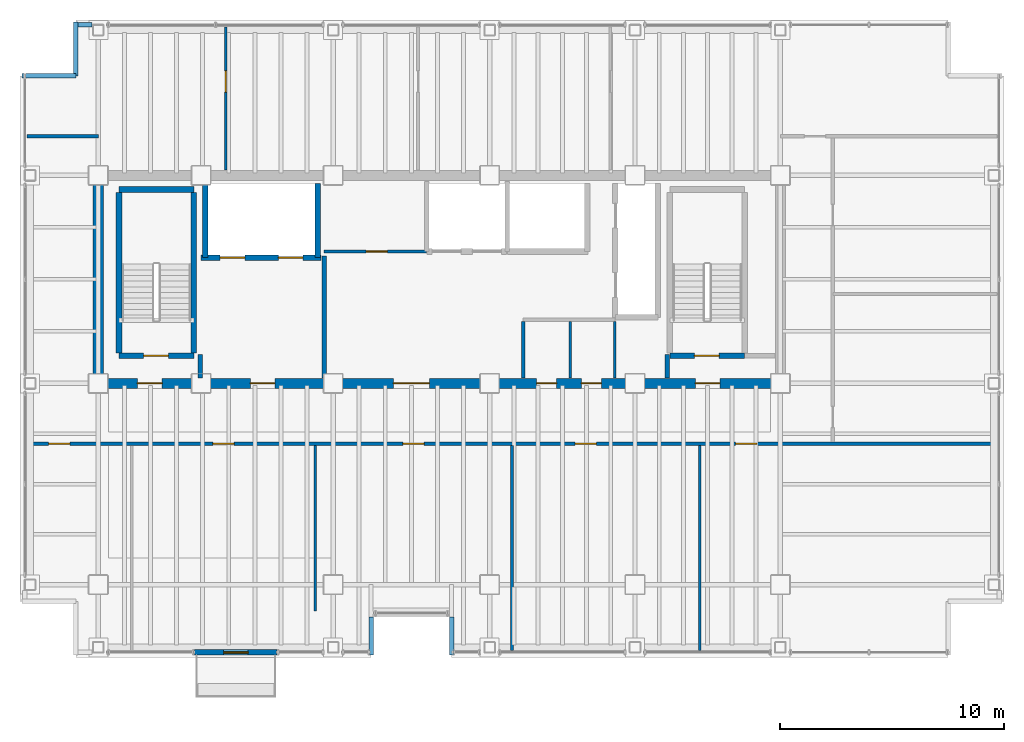
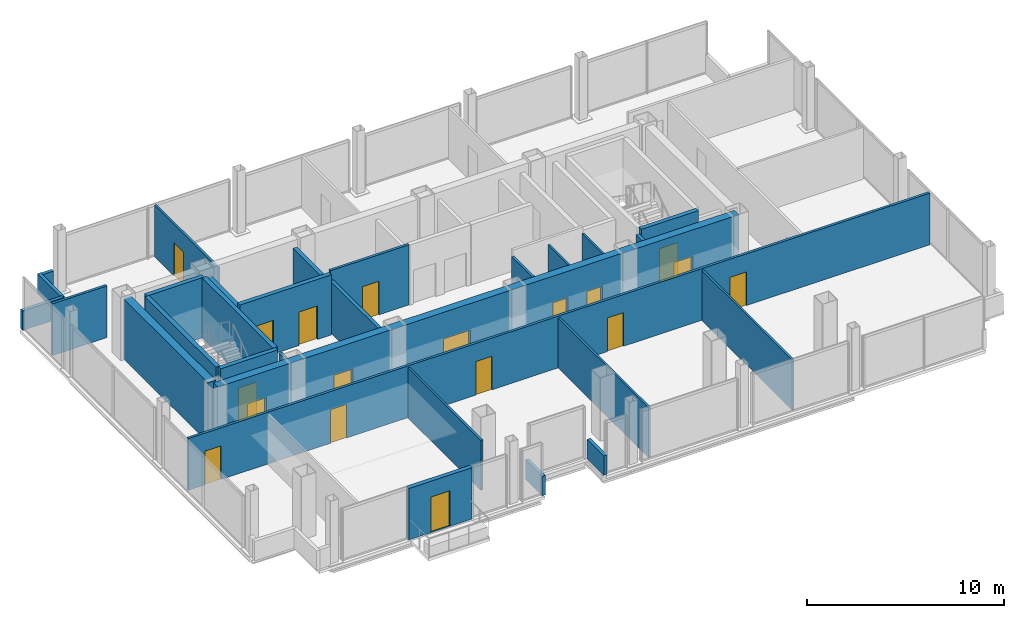
# One storey, part 13 of 15: 29 walls, 18 doors, 18 openings.
"""IFC4 building model written with IfcOpenShell, lengths in metres."""

from ifc_helpers import new_model, si_unit, direction, frame, frame_2d, origin, place, context, subcontext, project, spatial, rectangle, extrude, material, layer, layer_set, type_object, element, fill, save


model = new_model("IFC4")

# Units and contexts
model_context = context("Model", 3, precision=1e-05, world=origin(), true_north=direction((0.0, 1.0)))
body_context = subcontext(model_context, "Body", "Model", "MODEL_VIEW")
ifc_project = project(units=[si_unit("LENGTHUNIT", "METRE"), si_unit("AREAUNIT", "SQUARE_METRE"), si_unit("VOLUMEUNIT", "CUBIC_METRE"), si_unit("PLANEANGLEUNIT", "RADIAN"), si_unit("MASSUNIT", "GRAM", prefix="KILO")], contexts=[model_context])

# Site, building, storey
site_placement = place(None, origin())
site = spatial("IfcSite", under=ifc_project, at=site_placement, CompositionType="ELEMENT")
building_placement = place(site_placement, origin())
building = spatial("IfcBuilding", under=site, at=building_placement, Name="Noeulbin Bourse Tower", CompositionType="ELEMENT")
storey_placement = place(building_placement, frame((0.0, 0.0, 189.0)))
storey = spatial("IfcBuildingStorey", under=building, at=storey_placement, Name="L47", CompositionType="ELEMENT", Elevation=189.0)

# Wall, openings, doors
ifc_material_1 = material(Name="Concrete C50/60", Category="concrete")
ifc_layer_1 = layer(ifc_material_1, 0.449951171875)
ifc_layer_set_1 = layer_set([ifc_layer_1], Name="Concrete C50/60")
wall_type_1 = type_object("IfcWallType", Name="WAL-CORE-450", PredefinedType="SHEAR", material=ifc_layer_set_1)
wall_1_placement = place(storey_placement, frame((13.5, 29.0, 0.0), z_axis=(0.0, 0.0, 1.0), x_axis=(1.0, 0.0, 0.0)))
wall_1 = element("IfcWall", 1, at=wall_1_placement, inside=storey, type_object=wall_type_1, Name="Rear Core South Shear Wall L47", PredefinedType="SHEAR", context=body_context, shape_type="SweptSolid", body=[
    extrude(rectangle(XDim=30.5, YDim=0.449951171875, at=frame_2d((15.25, 0.0))), origin(), (0.0, 0.0, 1.0), 3.719970703125),
])
opening_1_placement = place(wall_1_placement, frame((1.75, 0.0, 0.0)))
opening_1 = element("IfcOpeningElement", 2, at=opening_1_placement, cuts=wall_1, Name="Opening FD-11", PredefinedType="OPENING", context=body_context, shape_type="SweptSolid", body=[
    extrude(rectangle(XDim=1.10009765625, YDim=2.080078125, at=frame_2d((0.550048828125, 1.0400390625))), frame((0.0, 0.23486328125, 0.0), z_axis=(0.0, -1.0, 0.0), x_axis=(1.0, 0.0, 0.0)), (0.0, 0.0, 1.0), 0.469970703125),
])
opening_2_placement = place(wall_1_placement, frame((26.699951171875, 0.0, 0.0)))
opening_2 = element("IfcOpeningElement", 3, at=opening_2_placement, cuts=wall_1, Name="Opening FD-11", PredefinedType="OPENING", context=body_context, shape_type="SweptSolid", body=[
    extrude(rectangle(XDim=1.10009765625, YDim=2.080078125, at=frame_2d((0.550048828125, 1.0400390625))), frame((0.0, 0.23486328125, 0.0), z_axis=(0.0, -1.0, 0.0), x_axis=(1.0, 0.0, 0.0)), (0.0, 0.0, 1.0), 0.469970703125),
])
opening_3_placement = place(wall_1_placement, frame((6.800048828125, 0.0, 0.0)))
opening_3 = element("IfcOpeningElement", 4, at=opening_3_placement, cuts=wall_1, Name="Opening FD-11", PredefinedType="OPENING", context=body_context, shape_type="SweptSolid", body=[
    extrude(rectangle(XDim=1.10009765625, YDim=2.080078125, at=frame_2d((0.550048828125, 1.0400390625))), frame((0.0, 0.23486328125, 0.0), z_axis=(0.0, -1.0, 0.0), x_axis=(1.0, 0.0, 0.0)), (0.0, 0.0, 1.0), 0.469970703125),
])
opening_4_placement = place(wall_1_placement, frame((13.199951171875, 0.0, 0.0)))
opening_4 = element("IfcOpeningElement", 5, at=opening_4_placement, cuts=wall_1, Name="Opening ID-16", PredefinedType="OPENING", context=body_context, shape_type="SweptSolid", body=[
    extrude(rectangle(XDim=1.60009765625, YDim=2.080078125, at=frame_2d((0.800048828125, 1.0400390625))), frame((0.0, 0.23486328125, 0.0), z_axis=(0.0, -1.0, 0.0), x_axis=(1.0, 0.0, 0.0)), (0.0, 0.0, 1.0), 0.469970703125),
])
opening_5_placement = place(wall_1_placement, frame((19.60009765625, 0.0, 0.0)))
opening_5 = element("IfcOpeningElement", 6, at=opening_5_placement, cuts=wall_1, Name="Opening FD-09", PredefinedType="OPENING", context=body_context, shape_type="SweptSolid", body=[
    extrude(rectangle(XDim=0.89990234375, YDim=2.080078125, at=frame_2d((0.449951171875, 1.0400390625))), frame((0.0, 0.23486328125, 0.0), z_axis=(0.0, -1.0, 0.0), x_axis=(1.0, 0.0, 0.0)), (0.0, 0.0, 1.0), 0.469970703125),
])
opening_6_placement = place(wall_1_placement, frame((21.60009765625, 0.0, 0.0)))
opening_6 = element("IfcOpeningElement", 7, at=opening_6_placement, cuts=wall_1, Name="Opening FD-09", PredefinedType="OPENING", context=body_context, shape_type="SweptSolid", body=[
    extrude(rectangle(XDim=0.89990234375, YDim=2.080078125, at=frame_2d((0.449951171875, 1.0400390625))), frame((0.0, 0.23486328125, 0.0), z_axis=(0.0, -1.0, 0.0), x_axis=(1.0, 0.0, 0.0)), (0.0, 0.0, 1.0), 0.469970703125),
])
ifc_material_2 = material(Name="Acoustic Glazed Aluminium", Category="aluminium")
door_type_1 = type_object("IfcDoorType", Name="DR-DBL-1600", OperationType="DOUBLE_DOOR_SINGLE_SWING", PredefinedType="DOOR", material=ifc_material_2)
door_1_placement = place(opening_4_placement, origin())
door_1 = element("IfcDoor", 8, at=door_1_placement, inside=storey, type_object=door_type_1, Name="Passenger Lift Lobby Portal L47", OperationType="DOUBLE_DOOR_SINGLE_SWING", OverallHeight=2.080078125, OverallWidth=1.60009765625, PredefinedType="DOOR", context=body_context, shape_type="SweptSolid", body=[
    extrude(rectangle(XDim=1.60009765625, YDim=2.080078125, at=frame_2d((0.800048828125, 1.0400390625))), frame((0.0, 0.02490234375, 0.0), z_axis=(0.0, -1.0, 0.0), x_axis=(1.0, 0.0, 0.0)), (0.0, 0.0, 1.0), 0.050048828125),
])
fill(opening_4, door_1)
ifc_material_3 = material(Name="Fire-Rated Timber Core", Category="wood")
door_type_2 = type_object("IfcDoorType", Name="DR-FD30-900", OperationType="SINGLE_SWING_RIGHT", PredefinedType="DOOR", material=ifc_material_3)
door_2_placement = place(opening_5_placement, origin())
door_2 = element("IfcDoor", 9, at=door_2_placement, inside=storey, type_object=door_type_2, Name="Interior Door L47-06", OperationType="SINGLE_SWING_RIGHT", OverallHeight=2.080078125, OverallWidth=0.89990234375, PredefinedType="DOOR", context=body_context, shape_type="SweptSolid", body=[
    extrude(rectangle(XDim=0.89990234375, YDim=2.080078125, at=frame_2d((0.449951171875, 1.0400390625))), frame((0.0, 0.02490234375, 0.0), z_axis=(0.0, -1.0, 0.0), x_axis=(1.0, 0.0, 0.0)), (0.0, 0.0, 1.0), 0.050048828125),
])
fill(opening_5, door_2)
door_3_placement = place(opening_6_placement, origin())
door_3 = element("IfcDoor", 10, at=door_3_placement, inside=storey, type_object=door_type_2, Name="Interior Door L47-07", OperationType="SINGLE_SWING_LEFT", OverallHeight=2.080078125, OverallWidth=0.89990234375, PredefinedType="DOOR", context=body_context, shape_type="SweptSolid", body=[
    extrude(rectangle(XDim=0.89990234375, YDim=2.080078125, at=frame_2d((0.449951171875, 1.0400390625))), frame((0.0, 0.02490234375, 0.0), z_axis=(0.0, -1.0, 0.0), x_axis=(1.0, 0.0, 0.0)), (0.0, 0.0, 1.0), 0.050048828125),
])
fill(opening_6, door_3)
ifc_material_4 = material(Name="Fire-Rated Insulated Steel", Category="steel")
door_type_3 = type_object("IfcDoorType", Name="DR-FD60-1100", OperationType="SINGLE_SWING_LEFT", PredefinedType="DOOR", material=ifc_material_4)
door_4_placement = place(opening_1_placement, origin())
door_4 = element("IfcDoor", 11, at=door_4_placement, inside=storey, type_object=door_type_3, Name="West Stair Lobby Door L47", OperationType="SINGLE_SWING_LEFT", OverallHeight=2.080078125, OverallWidth=1.10009765625, PredefinedType="DOOR", context=body_context, shape_type="SweptSolid", body=[
    extrude(rectangle(XDim=1.10009765625, YDim=2.080078125, at=frame_2d((0.550048828125, 1.0400390625))), frame((0.0, 0.02490234375, 0.0), z_axis=(0.0, -1.0, 0.0), x_axis=(1.0, 0.0, 0.0)), (0.0, 0.0, 1.0), 0.050048828125),
])
fill(opening_1, door_4)
door_5_placement = place(opening_2_placement, origin())
door_5 = element("IfcDoor", 12, at=door_5_placement, inside=storey, type_object=door_type_3, Name="East Stair Lobby Door L47", OperationType="SINGLE_SWING_RIGHT", OverallHeight=2.080078125, OverallWidth=1.10009765625, PredefinedType="DOOR", context=body_context, shape_type="SweptSolid", body=[
    extrude(rectangle(XDim=1.10009765625, YDim=2.080078125, at=frame_2d((0.550048828125, 1.0400390625))), frame((0.0, 0.02490234375, 0.0), z_axis=(0.0, -1.0, 0.0), x_axis=(1.0, 0.0, 0.0)), (0.0, 0.0, 1.0), 0.050048828125),
])
fill(opening_2, door_5)
door_6_placement = place(opening_3_placement, origin())
door_6 = element("IfcDoor", 13, at=door_6_placement, inside=storey, type_object=door_type_3, Name="Firefighting Lobby Door L47", OperationType="SINGLE_SWING_LEFT", OverallHeight=2.080078125, OverallWidth=1.10009765625, PredefinedType="DOOR", context=body_context, shape_type="SweptSolid", body=[
    extrude(rectangle(XDim=1.10009765625, YDim=2.080078125, at=frame_2d((0.550048828125, 1.0400390625))), frame((0.0, 0.02490234375, 0.0), z_axis=(0.0, -1.0, 0.0), x_axis=(1.0, 0.0, 0.0)), (0.0, 0.0, 1.0), 0.050048828125),
])
fill(opening_3, door_6)

# Wall
wall_2_placement = place(storey_placement, frame((13.5, 29.35009765625, 0.0), z_axis=(0.0, 0.0, 1.0), x_axis=(0.0, 1.0, 0.0)))
element("IfcWall", 14, at=wall_2_placement, inside=storey, type_object=wall_type_1, Name="Rear Core West Shear Wall L47", PredefinedType="SHEAR", context=body_context, shape_type="SweptSolid", body=[
    extrude(rectangle(XDim=8.599853515625, YDim=0.449951171875, at=frame_2d((4.2998046875, 0.0))), origin(), (0.0, 0.0, 1.0), 3.719970703125),
])

# Wall, opening, door
ifc_material_5 = material(Name="Precast Concrete C40/50", Category="concrete")
ifc_layer_2 = layer(ifc_material_5, 0.25)
ifc_layer_set_2 = layer_set([ifc_layer_2], Name="Precast Concrete C40/50")
wall_type_2 = type_object("IfcWallType", Name="WAL-EXT-250", PredefinedType="STANDARD", material=ifc_layer_set_2)
wall_3_placement = place(storey_placement, frame((17.800048828125, 16.969970703125, 0.0), z_axis=(0.0, 0.0, 1.0), x_axis=(1.0, 0.0, 0.0)))
wall_3 = element("IfcWall", 15, at=wall_3_placement, inside=storey, type_object=wall_type_2, Name="Balcony Threshold Wall L47", PredefinedType="STANDARD", context=body_context, shape_type="SweptSolid", body=[
    extrude(rectangle(XDim=3.699951171875, YDim=0.25, at=frame_2d((1.85009765625, 0.0))), origin(), (0.0, 0.0, 1.0), 3.179931640625),
])
opening_7_placement = place(wall_3_placement, frame((1.300048828125, 0.0, 0.0)))
opening_7 = element("IfcOpeningElement", 16, at=opening_7_placement, cuts=wall_3, Name="Opening BD-11", PredefinedType="OPENING", context=body_context, shape_type="SweptSolid", body=[
    extrude(rectangle(XDim=1.10009765625, YDim=2.199951171875, at=frame_2d((0.550048828125, 1.10009765625))), frame((0.0, 0.135009765625, 0.0), z_axis=(0.0, -1.0, 0.0), x_axis=(1.0, 0.0, 0.0)), (0.0, 0.0, 1.0), 0.27001953125),
])
ifc_material_6 = material(Name="Thermally Broken Aluminium Framed Glass", Category="aluminium")
door_type_4 = type_object("IfcDoorType", Name="DR-BAL-1100", OperationType="SINGLE_SWING_LEFT", PredefinedType="DOOR", material=ifc_material_6)
door_7_placement = place(opening_7_placement, origin())
door_7 = element("IfcDoor", 17, at=door_7_placement, inside=storey, type_object=door_type_4, Name="Tree-Balcony Access Door BD-L47", OperationType="SINGLE_SWING_LEFT", OverallHeight=2.199951171875, OverallWidth=1.10009765625, PredefinedType="DOOR", context=body_context, shape_type="SweptSolid", body=[
    extrude(rectangle(XDim=1.10009765625, YDim=2.199951171875, at=frame_2d((0.550048828125, 1.10009765625))), frame((0.0, 0.02490234375, 0.0), z_axis=(0.0, -1.0, 0.0), x_axis=(1.0, 0.0, 0.0)), (0.0, 0.0, 1.0), 0.050048828125),
])
fill(opening_7, door_7)

# Walls
ifc_material_7 = material(Name="Concrete C40/50", Category="concrete")
ifc_layer_3 = layer(ifc_material_7, 0.199951171875)
ifc_layer_set_3 = layer_set([ifc_layer_3], Name="Concrete C40/50")
wall_type_3 = type_object("IfcWallType", Name="WAL-FIRE-200", PredefinedType="STANDARD", material=ifc_layer_set_3)
for number, where, z_axis, x_axis, name in (
    (18, (18.050048828125, 29.235107421875, 0.0), (0.0, 0.0, 1.0), (0.0, 1.0, 0.0), "Interior Partition Wall L47-08"),
    (19, (38.949951171875, 29.235107421875, 0.0), (0.0, 0.0, 1.0), (0.0, 1.0, 0.0), "Interior Partition Wall L47-09"),
):
    element("IfcWall", number, at=place(storey_placement, frame(where, z_axis=z_axis, x_axis=x_axis)), inside=storey, type_object=wall_type_3, Name=name, PredefinedType="STANDARD", context=body_context, shape_type="SweptSolid", body=[
        extrude(rectangle(XDim=1.06494140625, YDim=0.199951171875, at=frame_2d((0.532470703125, 0.0))), origin(), (0.0, 0.0, 1.0), 3.35009765625),
    ])
wall_4_placement = place(storey_placement, frame((23.60009765625, 29.235107421875, 0.0), z_axis=(0.0, 0.0, 1.0), x_axis=(0.0, 1.0, 0.0)))
element("IfcWall", 20, at=wall_4_placement, inside=storey, type_object=wall_type_3, Name="Interior Partition Wall L47-10", PredefinedType="STANDARD", context=body_context, shape_type="SweptSolid", body=[
    extrude(rectangle(XDim=5.46484375, YDim=0.199951171875, at=frame_2d((2.732421875, 0.0))), origin(), (0.0, 0.0, 1.0), 3.199951171875),
])
ifc_layer_4 = layer(ifc_material_7, 0.199951171875)
ifc_layer_set_4 = layer_set([ifc_layer_4], Name="Concrete C40/50")
wall_type_4 = type_object("IfcWallType", Name="WAL-PAR-200", PredefinedType="PARAPET", material=ifc_layer_set_4)
wall_5_placement = place(storey_placement, frame((12.60009765625, 45.030029296875, 0.0), z_axis=(0.0, 0.0, 1.0), x_axis=(1.0, 0.0, 0.0)))
element("IfcWall", 21, at=wall_5_placement, inside=storey, type_object=wall_type_4, Name="Perimeter Pier Spandrel Parapet L47-N1", PredefinedType="PARAPET", context=body_context, shape_type="SweptSolid", body=[
    extrude(rectangle(XDim=0.6298828125, YDim=0.199951171875, at=frame_2d((0.31494140625, 0.0))), origin(), (0.0, 0.0, 1.0), 1.199951171875),
])
for number, where, z_axis, x_axis, name in (
    (22, (10.10009765625, 42.75, 0.0), (0.0, 0.0, 1.0), (1.0, 0.0, 0.0), "Corner Notch Parapet L47-NW1"),
    (23, (12.5, 42.75, 0.0), (0.0, 0.0, 1.0), (0.0, 1.0, 0.0), "Corner Notch Parapet L47-NW2"),
):
    element("IfcWall", number, at=place(storey_placement, frame(where, z_axis=z_axis, x_axis=x_axis)), inside=storey, type_object=wall_type_4, Name=name, PredefinedType="PARAPET", context=body_context, shape_type="SweptSolid", body=[
        extrude(rectangle(XDim=2.39990234375, YDim=0.199951171875, at=frame_2d((1.199951171875, 0.0))), origin(), (0.0, 0.0, 1.0), 1.199951171875),
    ])
for number, where, z_axis, x_axis, name in (
    (24, (25.699951171875, 16.85009765625, 0.0), (0.0, 0.0, 1.0), (0.0, 1.0, 0.0), "Sky-Garden Recess Parapet L47-W"),
    (25, (29.300048828125, 18.550048828125, 0.0), (0.0, 0.0, 1.0), (0.0, -1.0, 0.0), "Sky-Garden Recess Parapet L47-E"),
):
    element("IfcWall", number, at=place(storey_placement, frame(where, z_axis=z_axis, x_axis=x_axis)), inside=storey, type_object=wall_type_4, Name=name, PredefinedType="PARAPET", context=body_context, shape_type="SweptSolid", body=[
        extrude(rectangle(XDim=1.699951171875, YDim=0.199951171875, at=frame_2d((0.85009765625, 0.0))), origin(), (0.0, 0.0, 1.0), 1.199951171875),
    ])
ifc_material_8 = material(Name="Steel Stud Gypsum Partition", Category="steel")
ifc_layer_5 = layer(ifc_material_8, 0.1201171875)
ifc_layer_set_5 = layer_set([ifc_layer_5], Name="Steel Stud Gypsum Partition")
wall_type_5 = type_object("IfcWallType", Name="WAL-PRT-120", PredefinedType="PARTITIONING", material=ifc_layer_set_5)
for number, where, z_axis, x_axis, name in (
    (26, (36.60009765625, 29.235107421875, 0.0), (0.0, 0.0, 1.0), (0.0, 1.0, 0.0), "Interior Partition Wall L47-12"),
    (27, (34.60009765625, 29.235107421875, 0.0), (0.0, 0.0, 1.0), (0.0, 1.0, 0.0), "Interior Partition Wall L47-13"),
):
    element("IfcWall", number, at=place(storey_placement, frame(where, z_axis=z_axis, x_axis=x_axis)), inside=storey, type_object=wall_type_5, Name=name, PredefinedType="PARTITIONING", context=body_context, shape_type="SweptSolid", body=[
        extrude(rectangle(XDim=2.52978515625, YDim=0.1201171875, at=frame_2d((1.264892578125, 0.0))), origin(), (0.0, 0.0, 1.0), 3.35009765625),
    ])
wall_6_placement = place(storey_placement, frame((23.199951171875, 18.820068359375, 0.0), z_axis=(0.0, 0.0, 1.0), x_axis=(0.0, 1.0, 0.0)))
element("IfcWall", 28, at=wall_6_placement, inside=storey, type_object=wall_type_5, Name="Interior Partition Wall L47-16", PredefinedType="PARTITIONING", context=body_context, shape_type="SweptSolid", body=[
    extrude(rectangle(XDim=7.39501953125, YDim=0.1201171875, at=frame_2d((3.697509765625, 0.0))), origin(), (0.0, 0.0, 1.0), 3.10009765625),
])
for number, where, z_axis, x_axis, name in (
    (29, (32.0, 17.06005859375, 0.0), (0.0, 0.0, 1.0), (0.0, 1.0, 0.0), "Interior Partition Wall L47-17"),
    (30, (40.39990234375, 17.06005859375, 0.0), (0.0, 0.0, 1.0), (0.0, 1.0, 0.0), "Interior Partition Wall L47-18"),
):
    element("IfcWall", number, at=place(storey_placement, frame(where, z_axis=z_axis, x_axis=x_axis)), inside=storey, type_object=wall_type_5, Name=name, PredefinedType="PARTITIONING", context=body_context, shape_type="SweptSolid", body=[
        extrude(rectangle(XDim=9.155029296875, YDim=0.1201171875, at=frame_2d((4.57763671875, 0.0))), origin(), (0.0, 0.0, 1.0), 3.10009765625),
    ])

# Wall, opening, door
wall_7_placement = place(storey_placement, frame((19.199951171875, 38.534912109375, 0.0), z_axis=(0.0, 0.0, 1.0), x_axis=(0.0, 1.0, 0.0)))
wall_7 = element("IfcWall", 31, at=wall_7_placement, inside=storey, type_object=wall_type_5, Name="Interior Partition Wall L47-19", PredefinedType="PARTITIONING", context=body_context, shape_type="SweptSolid", body=[
    extrude(rectangle(XDim=6.405029296875, YDim=0.1201171875, at=frame_2d((3.20263671875, 0.0))), origin(), (0.0, 0.0, 1.0), 3.2119140625),
])
opening_8_placement = place(wall_7_placement, frame((3.485107421875, 0.0, 0.0)))
opening_8 = element("IfcOpeningElement", 32, at=opening_8_placement, cuts=wall_7, Name="Opening ID-09", PredefinedType="OPENING", context=body_context, shape_type="SweptSolid", body=[
    extrude(rectangle(XDim=0.949951171875, YDim=2.080078125, at=frame_2d((0.47509765625, 1.0400390625))), frame((0.0, 0.070068359375, 0.0), z_axis=(0.0, -1.0, 0.0), x_axis=(1.0, 0.0, 0.0)), (0.0, 0.0, 1.0), 0.14013671875),
])
ifc_material_9 = material(Name="Acoustic Solid-Core Timber", Category="wood")
door_type_5 = type_object("IfcDoorType", Name="DR-SINGLE-950", OperationType="SINGLE_SWING_LEFT", PredefinedType="DOOR", material=ifc_material_9)
door_8_placement = place(opening_8_placement, origin())
door_8 = element("IfcDoor", 33, at=door_8_placement, inside=storey, type_object=door_type_5, Name="Interior Door L47-16", OperationType="SINGLE_SWING_RIGHT", OverallHeight=2.080078125, OverallWidth=0.949951171875, PredefinedType="DOOR", context=body_context, shape_type="SweptSolid", body=[
    extrude(rectangle(XDim=0.949951171875, YDim=2.080078125, at=frame_2d((0.47509765625, 1.0400390625))), frame((0.0, 0.02490234375, 0.0), z_axis=(0.0, -1.0, 0.0), x_axis=(1.0, 0.0, 0.0)), (0.0, 0.0, 1.0), 0.050048828125),
])
fill(opening_8, door_8)

ifc_material_10 = material(Name="Steel Stud Acoustic Gypsum Board", Category="steel")
ifc_layer_6 = layer(ifc_material_10, 0.14990234375)
ifc_layer_set_6 = layer_set([ifc_layer_6], Name="Steel Stud Acoustic Gypsum Board")
wall_type_6 = type_object("IfcWallType", Name="WAL-PRT-150", PredefinedType="PARTITIONING", material=ifc_layer_set_6)
wall_8_placement = place(storey_placement, frame((23.60009765625, 34.89990234375, 0.0), z_axis=(0.0, 0.0, 1.0), x_axis=(1.0, 0.0, 0.0)))
wall_8 = element("IfcWall", 34, at=wall_8_placement, inside=storey, type_object=wall_type_6, Name="Interior Partition Wall L47-02", PredefinedType="PARTITIONING", context=body_context, shape_type="SweptSolid", body=[
    extrude(rectangle(XDim=4.579833984375, YDim=0.14990234375, at=frame_2d((2.2900390625, 0.0))), origin(), (0.0, 0.0, 1.0), 3.719970703125),
])
opening_9_placement = place(wall_8_placement, frame((1.875, 0.0, 0.0)))
opening_9 = element("IfcOpeningElement", 35, at=opening_9_placement, cuts=wall_8, Name="Opening ID-09", PredefinedType="OPENING", context=body_context, shape_type="SweptSolid", body=[
    extrude(rectangle(XDim=0.949951171875, YDim=2.080078125, at=frame_2d((0.47509765625, 1.0400390625))), frame((0.0, 0.0849609375, 0.0), z_axis=(0.0, -1.0, 0.0), x_axis=(1.0, 0.0, 0.0)), (0.0, 0.0, 1.0), 0.169921875),
])
door_9_placement = place(opening_9_placement, origin())
door_9 = element("IfcDoor", 36, at=door_9_placement, inside=storey, type_object=door_type_5, Name="Archive Room Door L47", OperationType="SINGLE_SWING_LEFT", OverallHeight=2.080078125, OverallWidth=0.949951171875, PredefinedType="DOOR", context=body_context, shape_type="SweptSolid", body=[
    extrude(rectangle(XDim=0.949951171875, YDim=2.080078125, at=frame_2d((0.47509765625, 1.0400390625))), frame((0.0, 0.02490234375, 0.0), z_axis=(0.0, -1.0, 0.0), x_axis=(1.0, 0.0, 0.0)), (0.0, 0.0, 1.0), 0.050048828125),
])
fill(opening_9, door_9)

# Wall, openings, doors
wall_9_placement = place(storey_placement, frame((10.31005859375, 26.300048828125, 0.0), z_axis=(0.0, 0.0, 1.0), x_axis=(1.0, 0.0, 0.0)))
wall_9 = element("IfcWall", 37, at=wall_9_placement, inside=storey, type_object=wall_type_6, Name="Interior Partition Wall L47-04", PredefinedType="PARTITIONING", context=body_context, shape_type="SweptSolid", body=[
    extrude(rectangle(XDim=43.3798828125, YDim=0.14990234375, at=frame_2d((21.68994140625, 0.0))), origin(), (0.0, 0.0, 1.0), 3.199951171875),
])
opening_10_placement = place(wall_9_placement, frame((0.969970703125, 0.0, 0.0)))
opening_10 = element("IfcOpeningElement", 38, at=opening_10_placement, cuts=wall_9, Name="Opening ID-09", PredefinedType="OPENING", context=body_context, shape_type="SweptSolid", body=[
    extrude(rectangle(XDim=0.949951171875, YDim=2.080078125, at=frame_2d((0.47509765625, 1.0400390625))), frame((0.0, 0.0849609375, 0.0), z_axis=(0.0, -1.0, 0.0), x_axis=(1.0, 0.0, 0.0)), (0.0, 0.0, 1.0), 0.169921875),
])
opening_11_placement = place(wall_9_placement, frame((8.31494140625, 0.0, 0.0)))
opening_11 = element("IfcOpeningElement", 39, at=opening_11_placement, cuts=wall_9, Name="Opening ID-09", PredefinedType="OPENING", context=body_context, shape_type="SweptSolid", body=[
    extrude(rectangle(XDim=0.949951171875, YDim=2.080078125, at=frame_2d((0.47509765625, 1.0400390625))), frame((0.0, 0.0849609375, 0.0), z_axis=(0.0, -1.0, 0.0), x_axis=(1.0, 0.0, 0.0)), (0.0, 0.0, 1.0), 0.169921875),
])
opening_12_placement = place(wall_9_placement, frame((16.81494140625, 0.0, 0.0)))
opening_12 = element("IfcOpeningElement", 40, at=opening_12_placement, cuts=wall_9, Name="Opening ID-09", PredefinedType="OPENING", context=body_context, shape_type="SweptSolid", body=[
    extrude(rectangle(XDim=0.949951171875, YDim=2.080078125, at=frame_2d((0.47509765625, 1.0400390625))), frame((0.0, 0.0849609375, 0.0), z_axis=(0.0, -1.0, 0.0), x_axis=(1.0, 0.0, 0.0)), (0.0, 0.0, 1.0), 0.169921875),
])
opening_13_placement = place(wall_9_placement, frame((24.514892578125, 0.0, 0.0)))
opening_13 = element("IfcOpeningElement", 41, at=opening_13_placement, cuts=wall_9, Name="Opening ID-09", PredefinedType="OPENING", context=body_context, shape_type="SweptSolid", body=[
    extrude(rectangle(XDim=0.949951171875, YDim=2.080078125, at=frame_2d((0.47509765625, 1.0400390625))), frame((0.0, 0.0849609375, 0.0), z_axis=(0.0, -1.0, 0.0), x_axis=(1.0, 0.0, 0.0)), (0.0, 0.0, 1.0), 0.169921875),
])
opening_14_placement = place(wall_9_placement, frame((31.68994140625, 0.0, 0.0)))
opening_14 = element("IfcOpeningElement", 42, at=opening_14_placement, cuts=wall_9, Name="Opening ID-09", PredefinedType="OPENING", context=body_context, shape_type="SweptSolid", body=[
    extrude(rectangle(XDim=0.949951171875, YDim=2.080078125, at=frame_2d((0.47509765625, 1.0400390625))), frame((0.0, 0.0849609375, 0.0), z_axis=(0.0, -1.0, 0.0), x_axis=(1.0, 0.0, 0.0)), (0.0, 0.0, 1.0), 0.169921875),
])
door_10_placement = place(opening_10_placement, origin())
door_10 = element("IfcDoor", 43, at=door_10_placement, inside=storey, type_object=door_type_5, Name="Interior Door L47-08", OperationType="SINGLE_SWING_RIGHT", OverallHeight=2.080078125, OverallWidth=0.949951171875, PredefinedType="DOOR", context=body_context, shape_type="SweptSolid", body=[
    extrude(rectangle(XDim=0.949951171875, YDim=2.080078125, at=frame_2d((0.47509765625, 1.0400390625))), frame((0.0, 0.02490234375, 0.0), z_axis=(0.0, -1.0, 0.0), x_axis=(1.0, 0.0, 0.0)), (0.0, 0.0, 1.0), 0.050048828125),
])
fill(opening_10, door_10)
door_11_placement = place(opening_11_placement, origin())
door_11 = element("IfcDoor", 44, at=door_11_placement, inside=storey, type_object=door_type_5, Name="Interior Door L47-09", OperationType="SINGLE_SWING_LEFT", OverallHeight=2.080078125, OverallWidth=0.949951171875, PredefinedType="DOOR", context=body_context, shape_type="SweptSolid", body=[
    extrude(rectangle(XDim=0.949951171875, YDim=2.080078125, at=frame_2d((0.47509765625, 1.0400390625))), frame((0.0, 0.02490234375, 0.0), z_axis=(0.0, -1.0, 0.0), x_axis=(1.0, 0.0, 0.0)), (0.0, 0.0, 1.0), 0.050048828125),
])
fill(opening_11, door_11)
door_12_placement = place(opening_12_placement, origin())
door_12 = element("IfcDoor", 45, at=door_12_placement, inside=storey, type_object=door_type_5, Name="Interior Door L47-10", OperationType="SINGLE_SWING_RIGHT", OverallHeight=2.080078125, OverallWidth=0.949951171875, PredefinedType="DOOR", context=body_context, shape_type="SweptSolid", body=[
    extrude(rectangle(XDim=0.949951171875, YDim=2.080078125, at=frame_2d((0.47509765625, 1.0400390625))), frame((0.0, 0.02490234375, 0.0), z_axis=(0.0, -1.0, 0.0), x_axis=(1.0, 0.0, 0.0)), (0.0, 0.0, 1.0), 0.050048828125),
])
fill(opening_12, door_12)
door_13_placement = place(opening_13_placement, origin())
door_13 = element("IfcDoor", 46, at=door_13_placement, inside=storey, type_object=door_type_5, Name="Interior Door L47-11", OperationType="SINGLE_SWING_LEFT", OverallHeight=2.080078125, OverallWidth=0.949951171875, PredefinedType="DOOR", context=body_context, shape_type="SweptSolid", body=[
    extrude(rectangle(XDim=0.949951171875, YDim=2.080078125, at=frame_2d((0.47509765625, 1.0400390625))), frame((0.0, 0.02490234375, 0.0), z_axis=(0.0, -1.0, 0.0), x_axis=(1.0, 0.0, 0.0)), (0.0, 0.0, 1.0), 0.050048828125),
])
fill(opening_13, door_13)
door_14_placement = place(opening_14_placement, origin())
door_14 = element("IfcDoor", 47, at=door_14_placement, inside=storey, type_object=door_type_5, Name="Interior Door L47-12", OperationType="SINGLE_SWING_RIGHT", OverallHeight=2.080078125, OverallWidth=0.949951171875, PredefinedType="DOOR", context=body_context, shape_type="SweptSolid", body=[
    extrude(rectangle(XDim=0.949951171875, YDim=2.080078125, at=frame_2d((0.47509765625, 1.0400390625))), frame((0.0, 0.02490234375, 0.0), z_axis=(0.0, -1.0, 0.0), x_axis=(1.0, 0.0, 0.0)), (0.0, 0.0, 1.0), 0.050048828125),
])
fill(opening_14, door_14)

# Walls
wall_10_placement = place(storey_placement, frame((10.31005859375, 40.050048828125, 0.0), z_axis=(0.0, 0.0, 1.0), x_axis=(1.0, 0.0, 0.0)))
element("IfcWall", 48, at=wall_10_placement, inside=storey, type_object=wall_type_6, Name="Interior Partition Wall L47-06", PredefinedType="PARTITIONING", context=body_context, shape_type="SweptSolid", body=[
    extrude(rectangle(XDim=3.18994140625, YDim=0.14990234375, at=frame_2d((1.594970703125, 0.0))), origin(), (0.0, 0.0, 1.0), 3.199951171875),
])
wall_11_placement = place(storey_placement, frame((32.5, 29.235107421875, 0.0), z_axis=(0.0, 0.0, 1.0), x_axis=(0.0, 1.0, 0.0)))
element("IfcWall", 49, at=wall_11_placement, inside=storey, type_object=wall_type_6, Name="Interior Partition Wall L47-11", PredefinedType="PARTITIONING", context=body_context, shape_type="SweptSolid", body=[
    extrude(rectangle(XDim=2.52978515625, YDim=0.14990234375, at=frame_2d((1.264892578125, 0.0))), origin(), (0.0, 0.0, 1.0), 3.35009765625),
])

# Wall, opening, door
ifc_layer_7 = layer(ifc_material_7, 0.25)
ifc_layer_set_7 = layer_set([ifc_layer_7], Name="Concrete C40/50")
wall_type_7 = type_object("IfcWallType", Name="WAL-SHFT-250", PredefinedType="STANDARD", material=ifc_layer_set_7)
wall_12_placement = place(storey_placement, frame((14.429931640625, 30.235107421875, 0.0), z_axis=(0.0, 0.0, 1.0), x_axis=(1.0, 0.0, 0.0)))
wall_12 = element("IfcWall", 50, at=wall_12_placement, inside=storey, type_object=wall_type_7, Name="Stair ST-1 South Shaft Wall L47", PredefinedType="STANDARD", context=body_context, shape_type="SweptSolid", body=[
    extrude(rectangle(XDim=3.340087890625, YDim=0.25, at=frame_2d((1.669921875, 0.0))), origin(), (0.0, 0.0, 1.0), 3.719970703125),
])
opening_15_placement = place(wall_12_placement, frame((1.10009765625, 0.0, 0.0)))
opening_15 = element("IfcOpeningElement", 51, at=opening_15_placement, cuts=wall_12, Name="Opening FD-11", PredefinedType="OPENING", context=body_context, shape_type="SweptSolid", body=[
    extrude(rectangle(XDim=1.10009765625, YDim=2.080078125, at=frame_2d((0.550048828125, 1.0400390625))), frame((0.0, 0.135009765625, 0.0), z_axis=(0.0, -1.0, 0.0), x_axis=(1.0, 0.0, 0.0)), (0.0, 0.0, 1.0), 0.27001953125),
])
door_15_placement = place(opening_15_placement, origin())
door_15 = element("IfcDoor", 52, at=door_15_placement, inside=storey, type_object=door_type_3, Name="Protected Stair Entry Door ST1-L47", OperationType="SINGLE_SWING_LEFT", OverallHeight=2.080078125, OverallWidth=1.10009765625, PredefinedType="DOOR", context=body_context, shape_type="SweptSolid", body=[
    extrude(rectangle(XDim=1.10009765625, YDim=2.080078125, at=frame_2d((0.550048828125, 1.0400390625))), frame((0.0, 0.02490234375, 0.0), z_axis=(0.0, -1.0, 0.0), x_axis=(1.0, 0.0, 0.0)), (0.0, 0.0, 1.0), 0.050048828125),
])
fill(opening_15, door_15)

# Walls
wall_13_placement = place(storey_placement, frame((14.429931640625, 37.6689453125, 0.0), z_axis=(0.0, 0.0, 1.0), x_axis=(1.0, 0.0, 0.0)))
element("IfcWall", 53, at=wall_13_placement, inside=storey, type_object=wall_type_7, Name="Stair ST-1 North Shaft Wall L47", PredefinedType="STANDARD", context=body_context, shape_type="SweptSolid", body=[
    extrude(rectangle(XDim=3.340087890625, YDim=0.25, at=frame_2d((1.669921875, 0.0))), origin(), (0.0, 0.0, 1.0), 3.719970703125),
])
for number, where, z_axis, x_axis, name in (
    (54, (14.425048828125, 30.360107421875, 0.0), (0.0, 0.0, 1.0), (0.0, 1.0, 0.0), "Stair ST-1 West Shaft Wall L47"),
    (55, (17.77490234375, 30.360107421875, 0.0), (0.0, 0.0, 1.0), (0.0, 1.0, 0.0), "Stair ST-1 East Shaft Wall L47"),
):
    element("IfcWall", number, at=place(storey_placement, frame(where, z_axis=z_axis, x_axis=x_axis)), inside=storey, type_object=wall_type_7, Name=name, PredefinedType="STANDARD", context=body_context, shape_type="SweptSolid", body=[
        extrude(rectangle(XDim=7.183837890625, YDim=0.25, at=frame_2d((3.591796875, 0.0))), origin(), (0.0, 0.0, 1.0), 3.719970703125),
    ])

# Wall, opening, door
wall_14_placement = place(storey_placement, frame((39.06005859375, 30.235107421875, 0.0), z_axis=(0.0, 0.0, 1.0), x_axis=(1.0, 0.0, 0.0)))
wall_14 = element("IfcWall", 56, at=wall_14_placement, inside=storey, type_object=wall_type_7, Name="Stair ST-2 South Shaft Wall L47", PredefinedType="STANDARD", context=body_context, shape_type="SweptSolid", body=[
    extrude(rectangle(XDim=3.33984375, YDim=0.25, at=frame_2d((1.669921875, 0.0))), origin(), (0.0, 0.0, 1.0), 3.719970703125),
])
opening_16_placement = place(wall_14_placement, frame((1.10009765625, 0.0, 0.0)))
opening_16 = element("IfcOpeningElement", 57, at=opening_16_placement, cuts=wall_14, Name="Opening FD-11", PredefinedType="OPENING", context=body_context, shape_type="SweptSolid", body=[
    extrude(rectangle(XDim=1.10009765625, YDim=2.080078125, at=frame_2d((0.550048828125, 1.0400390625))), frame((0.0, 0.135009765625, 0.0), z_axis=(0.0, -1.0, 0.0), x_axis=(1.0, 0.0, 0.0)), (0.0, 0.0, 1.0), 0.27001953125),
])
door_16_placement = place(opening_16_placement, origin())
door_16 = element("IfcDoor", 58, at=door_16_placement, inside=storey, type_object=door_type_3, Name="Protected Stair Entry Door ST2-L47", OperationType="SINGLE_SWING_RIGHT", OverallHeight=2.080078125, OverallWidth=1.10009765625, PredefinedType="DOOR", context=body_context, shape_type="SweptSolid", body=[
    extrude(rectangle(XDim=1.10009765625, YDim=2.080078125, at=frame_2d((0.550048828125, 1.0400390625))), frame((0.0, 0.02490234375, 0.0), z_axis=(0.0, -1.0, 0.0), x_axis=(1.0, 0.0, 0.0)), (0.0, 0.0, 1.0), 0.050048828125),
])
fill(opening_16, door_16)

# Wall, openings, doors
wall_15_placement = place(storey_placement, frame((18.10009765625, 34.6201171875, 0.0), z_axis=(0.0, 0.0, 1.0), x_axis=(1.0, 0.0, 0.0)))
wall_15 = element("IfcWall", 59, at=wall_15_placement, inside=storey, type_object=wall_type_7, Name="Firefighting Lift Shaft Front L47", PredefinedType="STANDARD", context=body_context, shape_type="SweptSolid", body=[
    extrude(rectangle(XDim=5.349853515625, YDim=0.25, at=frame_2d((2.6748046875, 0.0))), origin(), (0.0, 0.0, 1.0), 3.719970703125),
])
opening_17_placement = place(wall_15_placement, frame((0.85009765625, 0.0, 0.0)))
opening_17 = element("IfcOpeningElement", 60, at=opening_17_placement, cuts=wall_15, Name="Opening LD-11", PredefinedType="OPENING", context=body_context, shape_type="SweptSolid", body=[
    extrude(rectangle(XDim=1.10009765625, YDim=2.080078125, at=frame_2d((0.550048828125, 1.0400390625))), frame((0.0, 0.135009765625, 0.0), z_axis=(0.0, -1.0, 0.0), x_axis=(1.0, 0.0, 0.0)), (0.0, 0.0, 1.0), 0.27001953125),
])
opening_18_placement = place(wall_15_placement, frame((3.449951171875, 0.0, 0.0)))
opening_18 = element("IfcOpeningElement", 61, at=opening_18_placement, cuts=wall_15, Name="Opening LD-11", PredefinedType="OPENING", context=body_context, shape_type="SweptSolid", body=[
    extrude(rectangle(XDim=1.10009765625, YDim=2.080078125, at=frame_2d((0.550048828125, 1.0400390625))), frame((0.0, 0.135009765625, 0.0), z_axis=(0.0, -1.0, 0.0), x_axis=(1.0, 0.0, 0.0)), (0.0, 0.0, 1.0), 0.27001953125),
])
ifc_material_11 = material(Name="Brushed Stainless Steel 316", Category="steel")
door_type_6 = type_object("IfcDoorType", Name="DR-LIFT-1100", OperationType="SLIDING_TO_LEFT", PredefinedType="DOOR", material=ifc_material_11)
door_17_placement = place(opening_17_placement, origin())
door_17 = element("IfcDoor", 62, at=door_17_placement, inside=storey, type_object=door_type_6, Name="Lift Landing Door LD-FL-01-L47", OperationType="SLIDING_TO_LEFT", OverallHeight=2.080078125, OverallWidth=1.10009765625, PredefinedType="DOOR", context=body_context, shape_type="SweptSolid", body=[
    extrude(rectangle(XDim=1.10009765625, YDim=2.080078125, at=frame_2d((0.550048828125, 1.0400390625))), frame((0.0, 0.02490234375, 0.0), z_axis=(0.0, -1.0, 0.0), x_axis=(1.0, 0.0, 0.0)), (0.0, 0.0, 1.0), 0.050048828125),
])
fill(opening_17, door_17)
door_18_placement = place(opening_18_placement, origin())
door_18 = element("IfcDoor", 63, at=door_18_placement, inside=storey, type_object=door_type_6, Name="Lift Landing Door LD-FL-02-L47", OperationType="SLIDING_TO_LEFT", OverallHeight=2.080078125, OverallWidth=1.10009765625, PredefinedType="DOOR", context=body_context, shape_type="SweptSolid", body=[
    extrude(rectangle(XDim=1.10009765625, YDim=2.080078125, at=frame_2d((0.550048828125, 1.0400390625))), frame((0.0, 0.02490234375, 0.0), z_axis=(0.0, -1.0, 0.0), x_axis=(1.0, 0.0, 0.0)), (0.0, 0.0, 1.0), 0.050048828125),
])
fill(opening_18, door_18)

# Walls
for number, where, z_axis, x_axis, name in (
    (64, (18.280029296875, 34.6201171875, 0.0), (0.0, 0.0, 1.0), (0.0, 1.0, 0.0), "Firefighting Lift West Shaft Wall L47"),
    (65, (23.320068359375, 34.6201171875, 0.0), (0.0, 0.0, 1.0), (0.0, 1.0, 0.0), "Firefighting Lift East Shaft Wall L47"),
):
    element("IfcWall", number, at=place(storey_placement, frame(where, z_axis=z_axis, x_axis=x_axis)), inside=storey, type_object=wall_type_7, Name=name, PredefinedType="STANDARD", context=body_context, shape_type="SweptSolid", body=[
        extrude(rectangle(XDim=3.329833984375, YDim=0.25, at=frame_2d((1.6650390625, 0.0))), origin(), (0.0, 0.0, 1.0), 3.35009765625),
    ])

save(model, "model.ifc")
